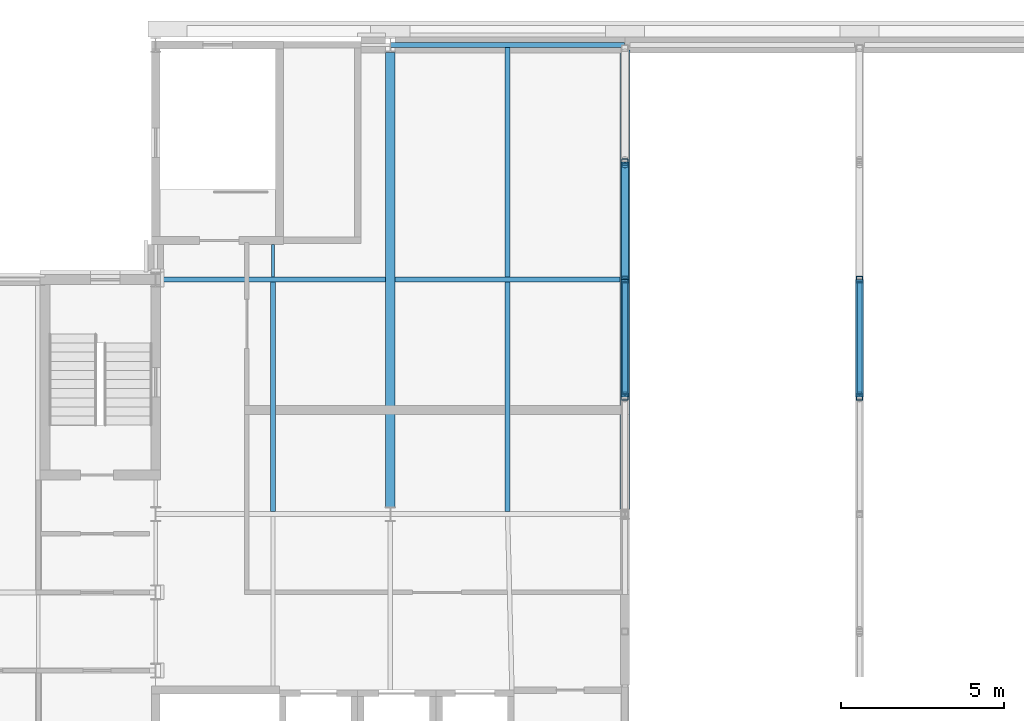
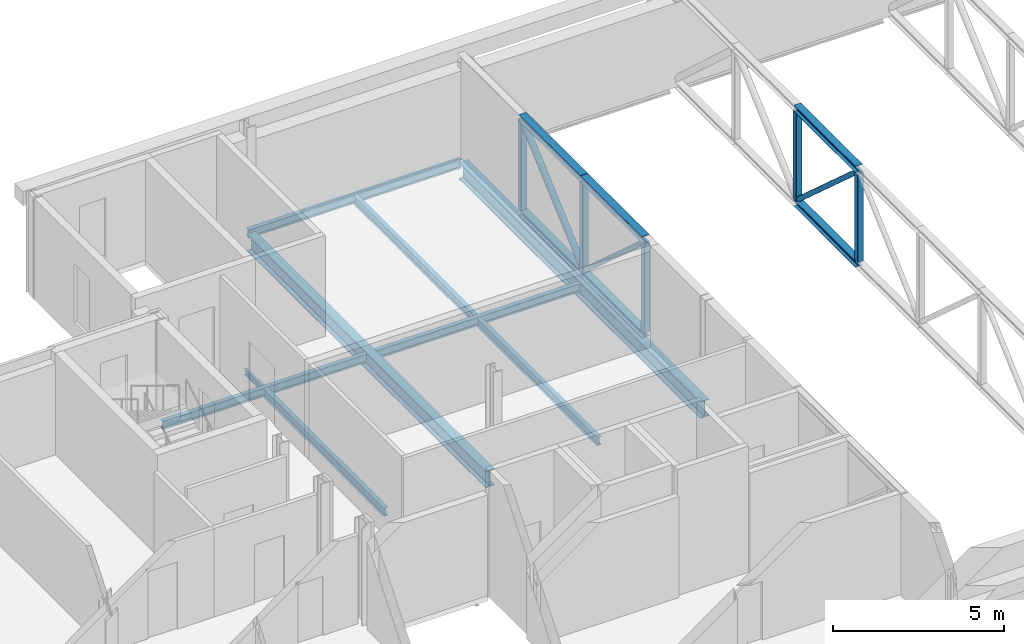
# One storey, part 75 of 142: 14 members, 9 beams.
"""IFC4 building model written with IfcOpenShell, lengths in metres."""

from ifc_helpers import new_model, si_unit, direction, frame, origin, origin_2d, place, context, subcontext, project, spatial, hollow_rectangle, hollow_circle, i_section, extrude, material, material_profile, profile_set, type_object, element, save


model = new_model("IFC4")

# Units and contexts
model_context = context("Model", 3, precision=1e-05, world=origin(), true_north=direction((0.0, 1.0)))
body_context = subcontext(model_context, "Body", "Model", "MODEL_VIEW")
ifc_project = project(units=[si_unit("LENGTHUNIT", "METRE"), si_unit("AREAUNIT", "SQUARE_METRE"), si_unit("VOLUMEUNIT", "CUBIC_METRE"), si_unit("PLANEANGLEUNIT", "RADIAN"), si_unit("MASSUNIT", "GRAM", prefix="KILO")], contexts=[model_context])

# Site, building, storey
site_placement = place(None, origin())
site = spatial("IfcSite", under=ifc_project, at=site_placement, CompositionType="ELEMENT")
building_placement = place(site_placement, origin())
building = spatial("IfcBuilding", under=site, at=building_placement, Name="Kupolbacken Congress Centre", CompositionType="ELEMENT")
storey_placement = place(building_placement, frame((0.0, 0.0, 14.39990234375)))
storey = spatial("IfcBuildingStorey", under=building, at=storey_placement, Name="L04", CompositionType="ELEMENT", Elevation=14.39990234375)

# Beams
ifc_material_1 = material(Name="Steel S355", Category="steel")
ifc_material_profile_1 = material_profile(ifc_material_1, i_section(OverallWidth=0.10009765625, OverallDepth=0.199951171875, WebThickness=0.005615234375, FlangeThickness=0.008544921875, FilletRadius=0.011962890625, at=origin_2d()), Name="IPE 200")
ifc_profile_set_1 = profile_set([ifc_material_profile_1], Name="Steel S355")
beam_type_1 = type_object("IfcBeamType", Name="B01 beam IPE 200", PredefinedType="BEAM", material=ifc_profile_set_1)
beam_1_placement = place(storey_placement, frame((140.39990234375, 144.074951171875, -0.27978515625), z_axis=(0.0, 1.0, 0.0), x_axis=(-1.0, 0.0, 0.0)))
element("IfcBeam", 1, at=beam_1_placement, inside=storey, type_object=beam_type_1, Name="S/floor/BF/L04/S019", PredefinedType="BEAM", context=body_context, shape_type="SweptSolid", body=[
    extrude(i_section(OverallWidth=0.10009765625, OverallDepth=0.199951171875, WebThickness=0.005615234375, FlangeThickness=0.008544921875, FilletRadius=0.011962890625, at=origin_2d()), origin(), (0.0, 0.0, 1.0), 1.0),
])
ifc_material_2 = material(Name="Steel S355", Category="steel")
ifc_material_profile_2 = material_profile(ifc_material_2, i_section(OverallWidth=0.14990234375, OverallDepth=0.300048828125, WebThickness=0.007080078125, FlangeThickness=0.0107421875, FilletRadius=0.014892578125, at=origin_2d()), Name="IPE 300")
ifc_profile_set_2 = profile_set([ifc_material_profile_2], Name="Steel S355")
beam_type_2 = type_object("IfcBeamType", Name="B04 beam IPE 300", PredefinedType="BEAM", material=ifc_profile_set_2)
for number, where, z_axis, x_axis, name in (
    (2, (136.949951171875, 144.0, -0.329833984375), (1.0, 0.0, 0.0), (0.0, 1.0, 0.0), "S/floor/BF/L04/R012"),
    (3, (144.14990234375, 144.0, -0.329833984375), (1.0, 0.0, 0.0), (0.0, 1.0, 0.0), "S/floor/BF/L04/R013"),
):
    element("IfcBeam", number, at=place(storey_placement, frame(where, z_axis=z_axis, x_axis=x_axis)), inside=storey, type_object=beam_type_2, Name=name, PredefinedType="BEAM", context=body_context, shape_type="SweptSolid", body=[
        extrude(i_section(OverallWidth=0.14990234375, OverallDepth=0.300048828125, WebThickness=0.007080078125, FlangeThickness=0.0107421875, FilletRadius=0.014892578125, at=origin_2d()), origin(), (0.0, 0.0, 1.0), 6.900146484375),
    ])
beam_2_placement = place(storey_placement, frame((144.007080078125, 151.199951171875, -0.329833984375), z_axis=(1.0, 0.0, 0.0), x_axis=(0.0, 1.0, 0.0)))
element("IfcBeam", 4, at=beam_2_placement, inside=storey, type_object=beam_type_2, Name="S/floor/BF/L04/R015", PredefinedType="BEAM", context=body_context, shape_type="SweptSolid", body=[
    extrude(i_section(OverallWidth=0.14990234375, OverallDepth=0.300048828125, WebThickness=0.007080078125, FlangeThickness=0.0107421875, FilletRadius=0.014892578125, at=origin_2d()), origin(), (0.0, 0.0, 1.0), 7.1875),
])
for number, where, z_axis, x_axis, name in (
    (5, (140.39990234375, 136.875, -0.329833984375), (0.0, 1.0, 0.0), (-1.0, 0.0, 0.0), "S/floor/BF/L04/S018"),
    (6, (147.60009765625, 136.875, -0.329833984375), (0.0, 1.0, 0.0), (-1.0, 0.0, 0.0), "S/floor/BF/L04/S022"),
    (7, (147.60009765625, 144.074951171875, -0.329833984375), (0.0, 1.0, 0.0), (-1.0, 0.0, 0.0), "S/floor/BF/L04/S023"),
):
    element("IfcBeam", number, at=place(storey_placement, frame(where, z_axis=z_axis, x_axis=x_axis)), inside=storey, type_object=beam_type_2, Name=name, PredefinedType="BEAM", context=body_context, shape_type="SweptSolid", body=[
        extrude(i_section(OverallWidth=0.14990234375, OverallDepth=0.300048828125, WebThickness=0.007080078125, FlangeThickness=0.0107421875, FilletRadius=0.014892578125, at=origin_2d()), origin(), (0.0, 0.0, 1.0), 7.050048828125),
    ])
ifc_material_3 = material(Name="Steel S355", Category="steel")
ifc_material_profile_3 = material_profile(ifc_material_3, i_section(OverallWidth=0.300048828125, OverallDepth=0.60009765625, WebThickness=0.015380859375, FlangeThickness=0.030029296875, FilletRadius=0.027099609375, at=origin_2d()), Name="HEB 600")
ifc_profile_set_3 = profile_set([ifc_material_profile_3], Name="Steel S355")
beam_type_3 = type_object("IfcBeamType", Name="B15 beam HEB 600", PredefinedType="BEAM", material=ifc_profile_set_3)
beam_3_placement = place(storey_placement, frame((144.0, 137.02490234375, -0.47998046875), z_axis=(0.0, 1.0, 0.0), x_axis=(-1.0, 0.0, 0.0)))
element("IfcBeam", 8, at=beam_3_placement, inside=storey, type_object=beam_type_3, Name="S/floor/BF/L04/G004", PredefinedType="BEAM", context=body_context, shape_type="SweptSolid", body=[
    extrude(i_section(OverallWidth=0.300048828125, OverallDepth=0.60009765625, WebThickness=0.015380859375, FlangeThickness=0.030029296875, FilletRadius=0.027099609375, at=origin_2d()), origin(), (0.0, 0.0, 1.0), 13.9501953125),
])
beam_4_placement = place(storey_placement, frame((151.199951171875, 136.949951171875, -0.47998046875), z_axis=(0.0, 1.0, 0.0), x_axis=(-1.0, 0.0, 0.0)))
element("IfcBeam", 9, at=beam_4_placement, inside=storey, type_object=beam_type_3, Name="S/floor/BF/L04/G007", PredefinedType="BEAM", context=body_context, shape_type="SweptSolid", body=[
    extrude(i_section(OverallWidth=0.300048828125, OverallDepth=0.60009765625, WebThickness=0.015380859375, FlangeThickness=0.030029296875, FilletRadius=0.027099609375, at=origin_2d()), origin(), (0.0, 0.0, 1.0), 14.10009765625),
])

# Members
ifc_material_4 = material(Name="Steel S355", Category="steel")
ifc_material_profile_4 = material_profile(ifc_material_4, hollow_circle(Radius=0.109619140625, WallThickness=0.010009765625, at=origin_2d()), Name="CHS 219.1 x 10")
ifc_profile_set_4 = profile_set([ifc_material_profile_4], Name="Steel S355")
member_type_1 = type_object("IfcMemberType", Name="M05 transfer truss web CHS 219.1 x 10", PredefinedType="BRACE", material=ifc_profile_set_4)
member_placement = place(storey_placement, frame((151.199951171875, 144.10009765625, 0.29052734375), z_axis=(0.0, 0.748813846758, 0.662780373053), x_axis=(-1.0, 0.0, 0.0)))
element("IfcMember", 10, at=member_placement, inside=storey, type_object=member_type_1, Name="BT/B1/D07", PredefinedType="BRACE", context=body_context, shape_type="SweptSolid", body=[
    extrude(hollow_circle(Radius=0.109619140625, WallThickness=0.010009765625, at=origin_2d()), origin(), (0.0, 0.0, 1.0), 4.540283203125),
])
ifc_material_5 = material(Name="Steel S355", Category="steel")
ifc_material_profile_5 = material_profile(ifc_material_5, hollow_circle(Radius=0.084228515625, WallThickness=0.008056640625, at=origin_2d()), Name="CHS 168.3 x 8")
ifc_profile_set_5 = profile_set([ifc_material_profile_5], Name="Steel S355")
member_type_2 = type_object("IfcMemberType", Name="M06 transfer truss web CHS 168.3 x 8", PredefinedType="BRACE", material=ifc_profile_set_5)
for number, where, z_axis, x_axis, name in (
    (11, (151.199951171875, 140.5, 3.318359375), (0.0, 0.744738982007, -0.667355863598), (-1.0, 0.0, 0.0), "BT/B1/D06"),
    (12, (158.39990234375, 140.5, 3.318359375), (0.0, 0.744738982007, -0.667355863598), (-1.0, 0.0, 0.0), "BT/B2/D06"),
):
    element("IfcMember", number, at=place(storey_placement, frame(where, z_axis=z_axis, x_axis=x_axis)), inside=storey, type_object=member_type_2, Name=name, PredefinedType="BRACE", context=body_context, shape_type="SweptSolid", body=[
        extrude(hollow_circle(Radius=0.084228515625, WallThickness=0.008056640625, at=origin_2d()), origin(), (0.0, 0.0, 1.0), 4.565185546875),
    ])
ifc_material_6 = material(Name="Steel S355", Category="steel")
ifc_material_profile_6 = material_profile(ifc_material_6, i_section(OverallWidth=0.239990234375, OverallDepth=0.22998046875, WebThickness=0.007568359375, FlangeThickness=0.011962890625, FilletRadius=0.02099609375, at=origin_2d()), Name="HEA 240")
ifc_profile_set_6 = profile_set([ifc_material_profile_6], Name="Steel S355")
member_type_3 = type_object("IfcMemberType", Name="M07 transfer truss chord HEA 240", PredefinedType="CHORD", material=ifc_profile_set_6)
for number, where, z_axis, x_axis, name in (
    (13, (151.199951171875, 140.39990234375, 0.10498046875), (0.0, 1.0, 0.0), (-1.0, 0.0, 0.0), "BT/B1/BC06"),
    (14, (151.199951171875, 140.39990234375, 3.485107421875), (0.0, 1.0, 0.0), (-1.0, 0.0, 0.0), "BT/B1/TC06"),
    (15, (151.199951171875, 144.0, 0.10498046875), (0.0, 1.0, 0.0), (-1.0, 0.0, 0.0), "BT/B1/BC07"),
    (16, (151.199951171875, 144.0, 3.485107421875), (0.0, 1.0, 0.0), (-1.0, 0.0, 0.0), "BT/B1/TC07"),
    (17, (158.39990234375, 140.39990234375, 0.10498046875), (0.0, 1.0, 0.0), (-1.0, 0.0, 0.0), "BT/B2/BC06"),
    (18, (158.39990234375, 140.39990234375, 3.485107421875), (0.0, 1.0, 0.0), (-1.0, 0.0, 0.0), "BT/B2/TC06"),
):
    element("IfcMember", number, at=place(storey_placement, frame(where, z_axis=z_axis, x_axis=x_axis)), inside=storey, type_object=member_type_3, Name=name, PredefinedType="CHORD", context=body_context, shape_type="SweptSolid", body=[
        extrude(i_section(OverallWidth=0.239990234375, OverallDepth=0.22998046875, WebThickness=0.007568359375, FlangeThickness=0.011962890625, FilletRadius=0.02099609375, at=origin_2d()), origin(), (0.0, 0.0, 1.0), 3.60009765625),
    ])
ifc_material_7 = material(Name="Steel S355", Category="steel")
ifc_material_profile_7 = material_profile(ifc_material_7, hollow_rectangle(XDim=0.199951171875, YDim=0.199951171875, WallThickness=0.010009765625, InnerFilletRadius=0.010009765625, OuterFilletRadius=0.014892578125, at=origin_2d()), Name="SHS 200 x 200 x 10")
ifc_profile_set_7 = profile_set([ifc_material_profile_7], Name="Steel S355")
member_type_4 = type_object("IfcMemberType", Name="M10 transfer truss post SHS 200 x 200 x 10", PredefinedType="STRUT", material=ifc_profile_set_7)
for number, where, z_axis, x_axis, name in (
    (19, (151.199951171875, 140.39990234375, 0.210205078125), (0.0, 0.0, 1.0), (0.0, 1.0, 0.0), "BT/B1/P05"),
    (20, (151.199951171875, 144.0, 0.210205078125), (0.0, 0.0, 1.0), (0.0, 1.0, 0.0), "BT/B1/P06"),
    (21, (151.199951171875, 147.60009765625, 0.210205078125), (0.0, 0.0, 1.0), (0.0, 1.0, 0.0), "BT/B1/P07"),
    (22, (158.39990234375, 140.39990234375, 0.210205078125), (0.0, 0.0, 1.0), (0.0, 1.0, 0.0), "BT/B2/P05"),
    (23, (158.39990234375, 144.0, 0.210205078125), (0.0, 0.0, 1.0), (0.0, 1.0, 0.0), "BT/B2/P06"),
):
    element("IfcMember", number, at=place(storey_placement, frame(where, z_axis=z_axis, x_axis=x_axis)), inside=storey, type_object=member_type_4, Name=name, PredefinedType="STRUT", context=body_context, shape_type="SweptSolid", body=[
        extrude(hollow_rectangle(XDim=0.199951171875, YDim=0.199951171875, WallThickness=0.010009765625, InnerFilletRadius=0.010009765625, OuterFilletRadius=0.014892578125, at=origin_2d()), origin(), (0.0, 0.0, 1.0), 3.169921875),
    ])

save(model, "model.ifc")
